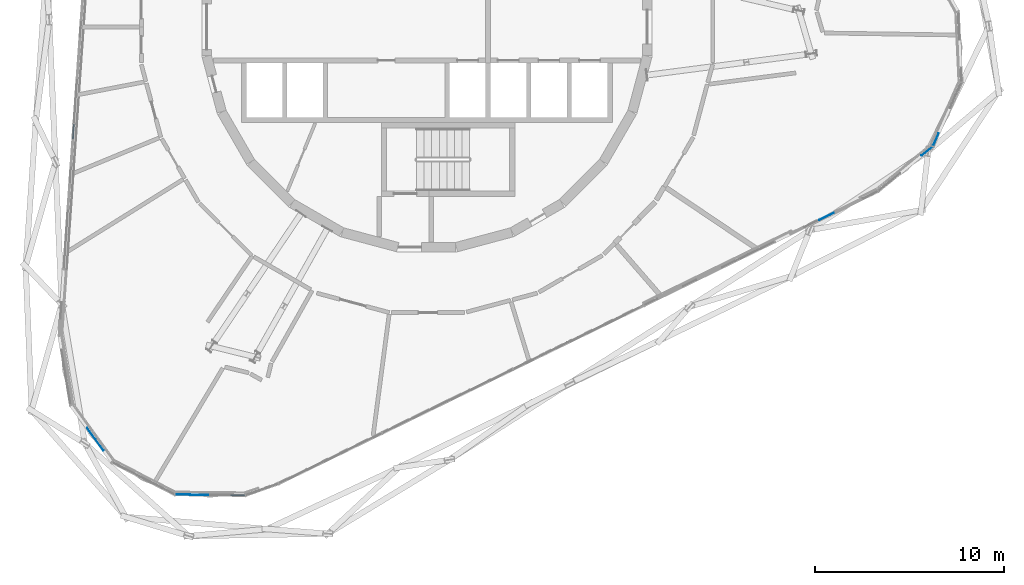
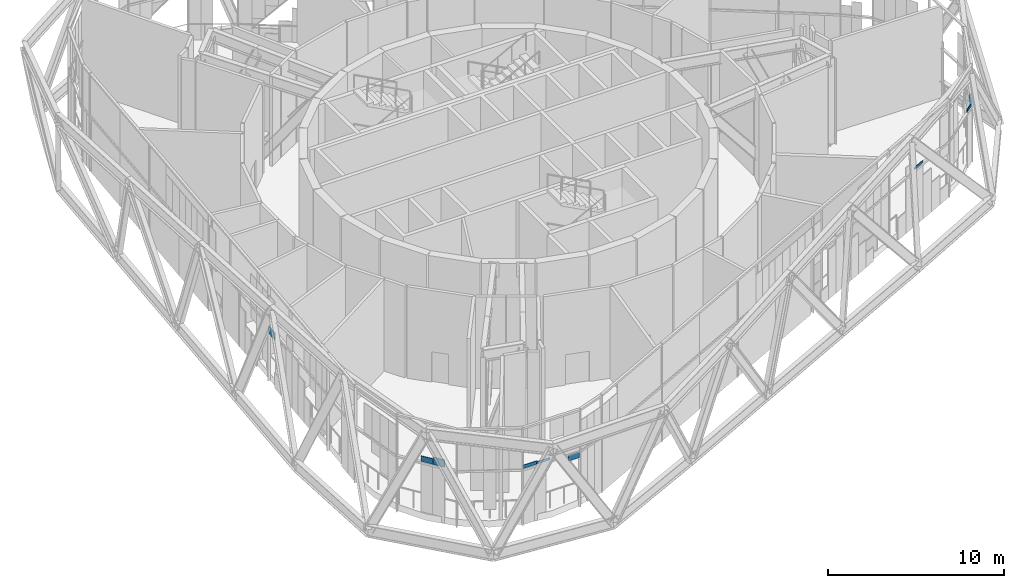
# One storey, part 16 of 24: 9 plates, 3 elements without a shape of their own.
"""IFC4 building model written with IfcOpenShell, lengths in metres."""

from ifc_helpers import new_model, si_unit, direction, frame, origin, origin_2d, place, context, subcontext, project, spatial, rectangle, extrude, material, layer, layer_set, type_object, element, aggregate, save


model = new_model("IFC4")

# Units and contexts
model_context = context("Model", 3, precision=1e-05, world=origin(), true_north=direction((0.0, 1.0)))
body_context = subcontext(model_context, "Body", "Model", "MODEL_VIEW")
ifc_project = project(units=[si_unit("LENGTHUNIT", "METRE"), si_unit("AREAUNIT", "SQUARE_METRE"), si_unit("VOLUMEUNIT", "CUBIC_METRE"), si_unit("PLANEANGLEUNIT", "RADIAN"), si_unit("MASSUNIT", "GRAM", prefix="KILO")], contexts=[model_context])

# Site, building, storey
site_placement = place(None, origin())
site = spatial("IfcSite", under=ifc_project, at=site_placement, CompositionType="ELEMENT")
building_placement = place(site_placement, origin())
building = spatial("IfcBuilding", under=site, at=building_placement, Name="Spindle Arch Residences", CompositionType="ELEMENT")
storey_placement = place(building_placement, frame((0.0, 0.0, 219.89990234375)))
storey = spatial("IfcBuildingStorey", under=building, at=storey_placement, Name="L56", CompositionType="ELEMENT", Elevation=219.89990234375)

# Curtain wall, plates
ifc_material_1 = material(Name="Aluminium bronze unitised frame with tinted glass", Category="aluminium")
ifc_layer_1 = layer(ifc_material_1, 0.159912109375)
ifc_layer_set_1 = layer_set([ifc_layer_1], Name="CW-E double-height winter garden wall")
curtain_wall_type = type_object("IfcCurtainWallType", Name="CW-E double-height winter garden wall", PredefinedType="NOTDEFINED", material=ifc_layer_set_1)
curtain_wall_1_placement = place(storey_placement, origin())
curtain_wall_1 = element("IfcCurtainWall", 1, at=curtain_wall_1_placement, inside=storey, type_object=curtain_wall_type, Name="CW-E L56 run 1", PredefinedType="NOTDEFINED")
ifc_material_2 = material(Name="Tinted laminated glass 28 mm", Category="glass")
ifc_layer_2 = layer(ifc_material_2, 0.028076171875)
ifc_layer_set_2 = layer_set([ifc_layer_2], Name="Tinted glass panel 28 mm")
plate_type_1 = type_object("IfcPlateType", Name="Tinted glass panel 28 mm", PredefinedType="CURTAIN_PANEL", material=ifc_layer_set_2)
plate_1_placement = place(storey_placement, frame((21.11572265625, -10.01806640625, 3.460205078125), z_axis=(0.0, 0.0, 1.0), x_axis=(0.898794046299, 0.438371146789, 0.0)))
plate_1 = element("IfcPlate", 2, at=plate_1_placement, type_object=plate_type_1, Name="CW-E panel 00b.2", PredefinedType="CURTAIN_PANEL", context=body_context, shape_type="SweptSolid", body=[
    extrude(rectangle(XDim=0.86181640625, YDim=0.028076171875, at=origin_2d()), origin(), (0.0, 0.0, 1.0), 0.1513671875),
])
plate_2_placement = place(storey_placement, frame((26.4296875, -6.57177734375, 3.4599609375), z_axis=(0.0, 0.0, 1.0), x_axis=(0.773471595747, 0.633830963722, 0.0)))
plate_2 = element("IfcPlate", 3, at=plate_2_placement, type_object=plate_type_1, Name="CW-E panel 01b.3", PredefinedType="CURTAIN_PANEL", context=body_context, shape_type="SweptSolid", body=[
    extrude(rectangle(XDim=0.7333984375, YDim=0.028076171875, at=origin_2d()), origin(), (0.0, 0.0, 1.0), 0.184326171875),
])
plate_3_placement = place(storey_placement, frame((26.89794921875, -5.9580078125, 3.4599609375), z_axis=(0.0, 0.0, 1.0), x_axis=(0.406736642422, 0.913545457934, 0.0)))
plate_3 = element("IfcPlate", 4, at=plate_3_placement, type_object=plate_type_1, Name="CW-E panel 02b.1", PredefinedType="CURTAIN_PANEL", context=body_context, shape_type="SweptSolid", body=[
    extrude(rectangle(XDim=0.7333984375, YDim=0.028076171875, at=origin_2d()), origin(), (0.0, 0.0, 1.0), 0.199462890625),
])
aggregate(curtain_wall_1, [plate_1, plate_2, plate_3])

curtain_wall_2_placement = place(storey_placement, origin())
curtain_wall_2 = element("IfcCurtainWall", 5, at=curtain_wall_2_placement, inside=storey, type_object=curtain_wall_type, Name="CW-E L56 run 5", PredefinedType="NOTDEFINED")
plate_4_placement = place(storey_placement, frame((-17.74658203125, -21.501708984375, 3.460205078125), z_axis=(0.0, 0.0, 1.0), x_axis=(0.587785254679, -0.809016992641, 0.0)))
plate_4 = element("IfcPlate", 6, at=plate_4_placement, type_object=plate_type_1, Name="CW-E panel 02b.1", PredefinedType="CURTAIN_PANEL", context=body_context, shape_type="SweptSolid", body=[
    extrude(rectangle(XDim=0.7333984375, YDim=0.028076171875, at=origin_2d()), origin(), (0.0, 0.0, 1.0), 0.38720703125),
])
plate_5_placement = place(storey_placement, frame((-17.315673828125, -22.094970703125, 3.460205078125), z_axis=(0.0, 0.0, 1.0), x_axis=(0.587785254679, -0.809016992641, 0.0)))
plate_5 = element("IfcPlate", 7, at=plate_5_placement, type_object=plate_type_1, Name="CW-E panel 02b.2", PredefinedType="CURTAIN_PANEL", context=body_context, shape_type="SweptSolid", body=[
    extrude(rectangle(XDim=0.7333984375, YDim=0.028076171875, at=origin_2d()), origin(), (0.0, 0.0, 1.0), 0.51318359375),
])
plate_6_placement = place(storey_placement, frame((-12.87109375, -24.725830078125, 3.4599609375), z_axis=(0.0, 0.0, 1.0), x_axis=(0.999932308032, -0.011635263346, 0.0)))
plate_6 = element("IfcPlate", 8, at=plate_6_placement, type_object=plate_type_1, Name="CW-E panel 04b.1", PredefinedType="CURTAIN_PANEL", context=body_context, shape_type="SweptSolid", body=[
    extrude(rectangle(XDim=0.87939453125, YDim=0.028076171875, at=origin_2d()), origin(), (0.0, 0.0, 1.0), 0.234619140625),
])
plate_7_placement = place(storey_placement, frame((-11.99169921875, -24.736083984375, 3.4599609375), z_axis=(0.0, 0.0, 1.0), x_axis=(0.999932308032, -0.011635263346, 0.0)))
plate_7 = element("IfcPlate", 9, at=plate_7_placement, type_object=plate_type_1, Name="CW-E panel 04b.2", PredefinedType="CURTAIN_PANEL", context=body_context, shape_type="SweptSolid", body=[
    extrude(rectangle(XDim=0.87939453125, YDim=0.028076171875, at=origin_2d()), origin(), (0.0, 0.0, 1.0), 0.174072265625),
])

# Curtain wall, plate
curtain_wall_3_placement = place(storey_placement, origin())
curtain_wall_3 = element("IfcCurtainWall", 10, at=curtain_wall_3_placement, inside=storey, type_object=curtain_wall_type, Name="CW-E L56 run 4", PredefinedType="NOTDEFINED")
ifc_material_3 = material(Name="Tinted double glazing over aluminium faced non-combustible spandrel zone (K0)", Category="aluminium")
ifc_layer_3 = layer(ifc_material_3, 0.06005859375)
ifc_layer_set_3 = layer_set([ifc_layer_3], Name="Unitised glass panel with E 60 spandrel zone")
plate_type_2 = type_object("IfcPlateType", Name="Unitised glass panel with E 60 spandrel zone", PredefinedType="CURTAIN_PANEL", material=ifc_layer_set_3)
plate_8_placement = place(storey_placement, frame((-18.692138671875, -5.53271484375, 2.865234375), z_axis=(0.0, 0.0, 1.0), x_axis=(-0.069756473744, -0.99756405026, 0.0)))
plate_8 = element("IfcPlate", 11, at=plate_8_placement, type_object=plate_type_2, Name="CW-E panel 15Aa.1", PredefinedType="CURTAIN_PANEL", context=body_context, shape_type="SweptSolid", body=[
    extrude(rectangle(XDim=0.763427734375, YDim=0.06005859375, at=origin_2d()), origin(), (0.0, 0.0, 1.0), 0.474853515625),
])
aggregate(curtain_wall_3, [plate_8])

# Plate
plate_9_placement = place(storey_placement, frame((-10.010986328125, -24.75927734375, 2.97607421875), z_axis=(0.0, 0.0, 1.0), x_axis=(0.999932308032, -0.011635263346, 0.0)))
plate_9 = element("IfcPlate", 12, at=plate_9_placement, type_object=plate_type_2, Name="CW-E panel 04a.3", PredefinedType="CURTAIN_PANEL", context=body_context, shape_type="SweptSolid", body=[
    extrude(rectangle(XDim=0.7333984375, YDim=0.06005859375, at=origin_2d()), origin(), (0.0, 0.0, 1.0), 0.364013671875),
])

aggregate(curtain_wall_2, [plate_4, plate_5, plate_9, plate_6, plate_7])

save(model, "model.ifc")
